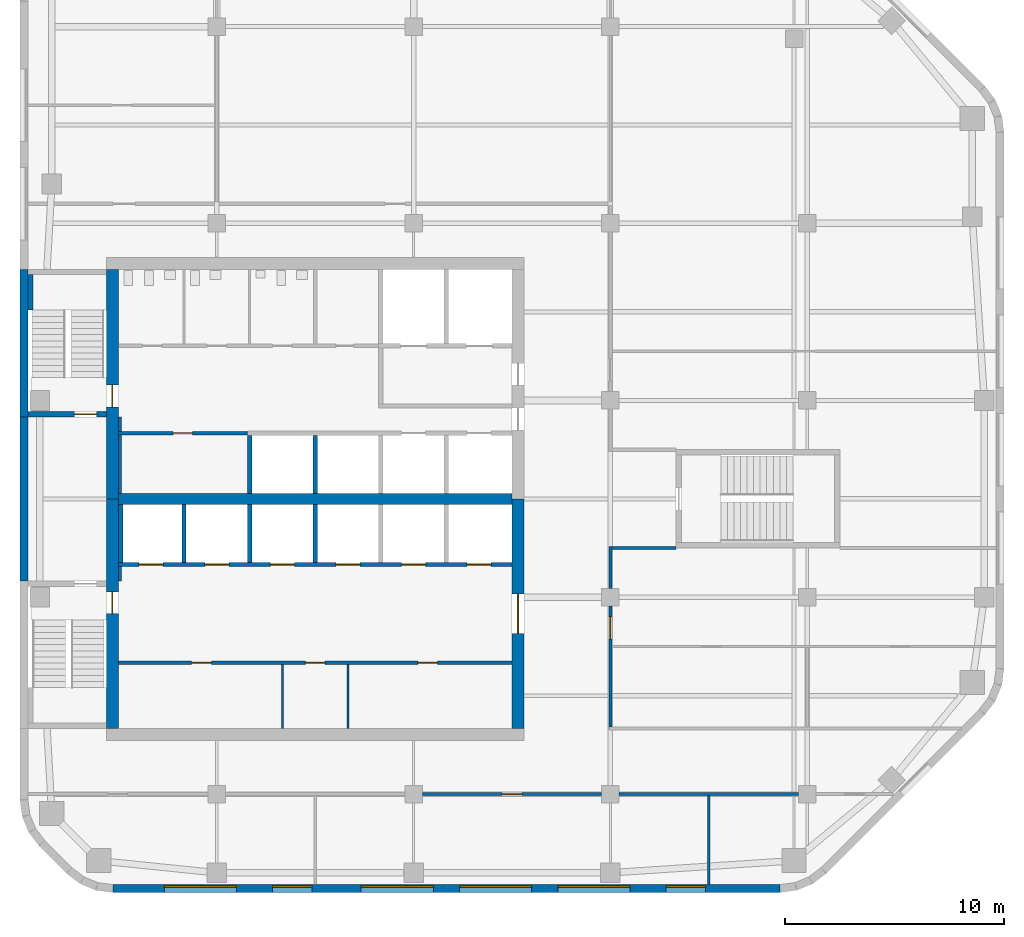
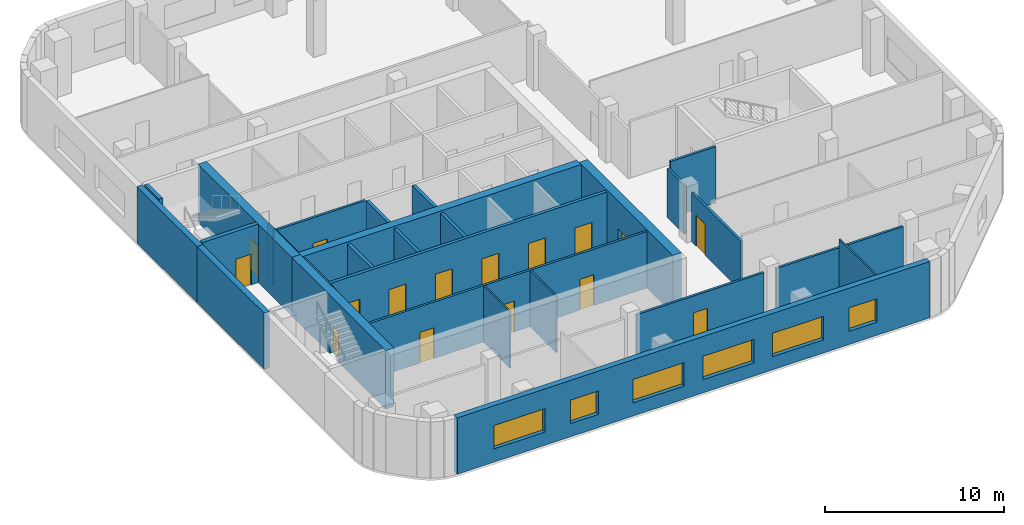
# One storey, part 3 of 7: 29 walls, 16 doors, 6 windows, 22 openings.
"""IFC4 building model written with IfcOpenShell, lengths in metres."""

from ifc_helpers import new_model, si_unit, direction, frame, frame_2d, origin, place, context, subcontext, project, spatial, rectangle, extrude, material, layer, layer_set, type_object, element, fill, save


model = new_model("IFC4")

# Units and contexts
model_context = context("Model", 3, precision=1e-05, world=origin(), true_north=direction((0.0, 1.0)))
body_context = subcontext(model_context, "Body", "Model", "MODEL_VIEW")
ifc_project = project(units=[si_unit("LENGTHUNIT", "METRE"), si_unit("AREAUNIT", "SQUARE_METRE"), si_unit("VOLUMEUNIT", "CUBIC_METRE"), si_unit("PLANEANGLEUNIT", "RADIAN"), si_unit("MASSUNIT", "GRAM", prefix="KILO")], contexts=[model_context])

# Site, building, storey
site_placement = place(None, origin())
site = spatial("IfcSite", under=ifc_project, at=site_placement, CompositionType="ELEMENT")
building_placement = place(site_placement, origin())
building = spatial("IfcBuilding", under=site, at=building_placement, Name="Cinnabar Reach Civic Tower", CompositionType="ELEMENT")
storey_placement = place(building_placement, frame((0.0, 0.0, 234.0)))
storey = spatial("IfcBuildingStorey", under=building, at=storey_placement, Name="L56", CompositionType="ELEMENT", Elevation=234.0)

# Wall, openings, windows
ifc_material_1 = material(Name="Facing brick with insulated backing", Category="masonry")
ifc_layer_1 = layer(ifc_material_1, 0.36)
ifc_layer_set_1 = layer_set([ifc_layer_1], Name="Brick pier and spandrel wall")
wall_type_1 = type_object("IfcWallType", Name="Brick pier and spandrel wall", PredefinedType="STANDARD", material=ifc_layer_set_1)
wall_1_placement = place(storey_placement, frame((4.2426, 13.68, 0.0), z_axis=(0.0, 0.0, 1.0), x_axis=(1.0, 0.0, 0.0)))
wall_1 = element("IfcWall", 1, at=wall_1_placement, inside=storey, type_object=wall_type_1, Name="Brick facade wall", PredefinedType="STANDARD", context=body_context, shape_type="SweptSolid", body=[
    extrude(rectangle(XDim=30.5148, YDim=0.36, at=frame_2d((15.2574, 0.0))), origin(), (0.0, 0.0, 1.0), 3.85),
])
opening_1_placement = place(wall_1_placement, frame((2.3574, 0.0, 0.9)))
opening_1 = element("IfcOpeningElement", 2, at=opening_1_placement, cuts=wall_1, Name="Opening W2140", PredefinedType="OPENING", context=body_context, shape_type="SweptSolid", body=[
    extrude(rectangle(XDim=3.3, YDim=1.6, at=frame_2d((1.65, 0.8))), frame((0.0, 0.19, 0.0), z_axis=(0.0, -1.0, 0.0), x_axis=(1.0, 0.0, 0.0)), (0.0, 0.0, 1.0), 0.38),
])
opening_2_placement = place(wall_1_placement, frame((7.3074, 0.0, 0.9)))
opening_2 = element("IfcOpeningElement", 3, at=opening_2_placement, cuts=wall_1, Name="Opening W2141", PredefinedType="OPENING", context=body_context, shape_type="SweptSolid", body=[
    extrude(rectangle(XDim=1.8, YDim=1.6, at=frame_2d((0.9, 0.8))), frame((0.0, 0.19, 0.0), z_axis=(0.0, -1.0, 0.0), x_axis=(1.0, 0.0, 0.0)), (0.0, 0.0, 1.0), 0.38),
])
opening_3_placement = place(wall_1_placement, frame((11.3574, 0.0, 0.9)))
opening_3 = element("IfcOpeningElement", 4, at=opening_3_placement, cuts=wall_1, Name="Opening W2142", PredefinedType="OPENING", context=body_context, shape_type="SweptSolid", body=[
    extrude(rectangle(XDim=3.3, YDim=1.6, at=frame_2d((1.65, 0.8))), frame((0.0, 0.19, 0.0), z_axis=(0.0, -1.0, 0.0), x_axis=(1.0, 0.0, 0.0)), (0.0, 0.0, 1.0), 0.38),
])
opening_4_placement = place(wall_1_placement, frame((15.8574, 0.0, 0.9)))
opening_4 = element("IfcOpeningElement", 5, at=opening_4_placement, cuts=wall_1, Name="Opening W2143", PredefinedType="OPENING", context=body_context, shape_type="SweptSolid", body=[
    extrude(rectangle(XDim=3.3, YDim=1.6, at=frame_2d((1.65, 0.8))), frame((0.0, 0.19, 0.0), z_axis=(0.0, -1.0, 0.0), x_axis=(1.0, 0.0, 0.0)), (0.0, 0.0, 1.0), 0.38),
])
opening_5_placement = place(wall_1_placement, frame((20.3574, 0.0, 0.9)))
opening_5 = element("IfcOpeningElement", 6, at=opening_5_placement, cuts=wall_1, Name="Opening W2144", PredefinedType="OPENING", context=body_context, shape_type="SweptSolid", body=[
    extrude(rectangle(XDim=3.3, YDim=1.6, at=frame_2d((1.65, 0.8))), frame((0.0, 0.19, 0.0), z_axis=(0.0, -1.0, 0.0), x_axis=(1.0, 0.0, 0.0)), (0.0, 0.0, 1.0), 0.38),
])
opening_6_placement = place(wall_1_placement, frame((25.3074, 0.0, 0.9)))
opening_6 = element("IfcOpeningElement", 7, at=opening_6_placement, cuts=wall_1, Name="Opening W2145", PredefinedType="OPENING", context=body_context, shape_type="SweptSolid", body=[
    extrude(rectangle(XDim=1.8, YDim=1.6, at=frame_2d((0.9, 0.8))), frame((0.0, 0.19, 0.0), z_axis=(0.0, -1.0, 0.0), x_axis=(1.0, 0.0, 0.0)), (0.0, 0.0, 1.0), 0.38),
])
ifc_material_2 = material(Name="Clear double glazing in aluminium frame", Category="aluminium")
window_type_1 = type_object("IfcWindowType", Name="Deep-set window A", PartitioningType="SINGLE_PANEL", PredefinedType="WINDOW", material=ifc_material_2)
window_1_placement = place(opening_1_placement, origin())
window_1 = element("IfcWindow", 8, at=window_1_placement, inside=storey, type_object=window_type_1, Name="Window south face", OverallHeight=1.6, OverallWidth=3.3, PartitioningType="SINGLE_PANEL", PredefinedType="WINDOW", context=body_context, shape_type="SweptSolid", body=[
    extrude(rectangle(XDim=3.3, YDim=1.6, at=frame_2d((1.65, 0.8))), frame((0.0, 0.13, 0.0), z_axis=(0.0, -1.0, 0.0), x_axis=(1.0, 0.0, 0.0)), (0.0, 0.0, 1.0), 0.06),
])
fill(opening_1, window_1)
window_2_placement = place(opening_3_placement, origin())
window_2 = element("IfcWindow", 9, at=window_2_placement, inside=storey, type_object=window_type_1, Name="Window south face", OverallHeight=1.6, OverallWidth=3.3, PartitioningType="SINGLE_PANEL", PredefinedType="WINDOW", context=body_context, shape_type="SweptSolid", body=[
    extrude(rectangle(XDim=3.3, YDim=1.6, at=frame_2d((1.65, 0.8))), frame((0.0, 0.13, 0.0), z_axis=(0.0, -1.0, 0.0), x_axis=(1.0, 0.0, 0.0)), (0.0, 0.0, 1.0), 0.06),
])
fill(opening_3, window_2)
window_3_placement = place(opening_4_placement, origin())
window_3 = element("IfcWindow", 10, at=window_3_placement, inside=storey, type_object=window_type_1, Name="Window south face", OverallHeight=1.6, OverallWidth=3.3, PartitioningType="SINGLE_PANEL", PredefinedType="WINDOW", context=body_context, shape_type="SweptSolid", body=[
    extrude(rectangle(XDim=3.3, YDim=1.6, at=frame_2d((1.65, 0.8))), frame((0.0, 0.13, 0.0), z_axis=(0.0, -1.0, 0.0), x_axis=(1.0, 0.0, 0.0)), (0.0, 0.0, 1.0), 0.06),
])
fill(opening_4, window_3)
window_4_placement = place(opening_5_placement, origin())
window_4 = element("IfcWindow", 11, at=window_4_placement, inside=storey, type_object=window_type_1, Name="Window south face", OverallHeight=1.6, OverallWidth=3.3, PartitioningType="SINGLE_PANEL", PredefinedType="WINDOW", context=body_context, shape_type="SweptSolid", body=[
    extrude(rectangle(XDim=3.3, YDim=1.6, at=frame_2d((1.65, 0.8))), frame((0.0, 0.13, 0.0), z_axis=(0.0, -1.0, 0.0), x_axis=(1.0, 0.0, 0.0)), (0.0, 0.0, 1.0), 0.06),
])
fill(opening_5, window_4)
window_type_2 = type_object("IfcWindowType", Name="Deep-set window D", PartitioningType="SINGLE_PANEL", PredefinedType="WINDOW", material=ifc_material_2)
window_5_placement = place(opening_2_placement, origin())
window_5 = element("IfcWindow", 12, at=window_5_placement, inside=storey, type_object=window_type_2, Name="Window south face", OverallHeight=1.6, OverallWidth=1.8, PartitioningType="SINGLE_PANEL", PredefinedType="WINDOW", context=body_context, shape_type="SweptSolid", body=[
    extrude(rectangle(XDim=1.8, YDim=1.6, at=frame_2d((0.9, 0.8))), frame((0.0, 0.13, 0.0), z_axis=(0.0, -1.0, 0.0), x_axis=(1.0, 0.0, 0.0)), (0.0, 0.0, 1.0), 0.06),
])
fill(opening_2, window_5)
window_6_placement = place(opening_6_placement, origin())
window_6 = element("IfcWindow", 13, at=window_6_placement, inside=storey, type_object=window_type_2, Name="Window south face", OverallHeight=1.6, OverallWidth=1.8, PartitioningType="SINGLE_PANEL", PredefinedType="WINDOW", context=body_context, shape_type="SweptSolid", body=[
    extrude(rectangle(XDim=1.8, YDim=1.6, at=frame_2d((0.9, 0.8))), frame((0.0, 0.13, 0.0), z_axis=(0.0, -1.0, 0.0), x_axis=(1.0, 0.0, 0.0)), (0.0, 0.0, 1.0), 0.06),
])
fill(opening_6, window_6)

# Walls
wall_2_placement = place(storey_placement, frame((0.18, 42.0, 0.0), z_axis=(0.0, 0.0, 1.0), x_axis=(0.0, -1.0, 0.0)))
element("IfcWall", 14, at=wall_2_placement, inside=storey, type_object=wall_type_1, Name="Brick facade wall", PredefinedType="STANDARD", context=body_context, shape_type="SweptSolid", body=[
    extrude(rectangle(XDim=6.75, YDim=0.36, at=frame_2d((3.375, 0.0))), origin(), (0.0, 0.0, 1.0), 3.85),
])
wall_3_placement = place(storey_placement, frame((0.18, 35.25, 0.0), z_axis=(0.0, 0.0, 1.0), x_axis=(0.0, -1.0, 0.0)))
element("IfcWall", 15, at=wall_3_placement, inside=storey, type_object=wall_type_1, Name="Brick facade wall", PredefinedType="STANDARD", context=body_context, shape_type="SweptSolid", body=[
    extrude(rectangle(XDim=7.5, YDim=0.36, at=frame_2d((3.75, 0.0))), origin(), (0.0, 0.0, 1.0), 3.85),
])
ifc_material_3 = material(Name="Concrete C60", Category="concrete")
ifc_layer_2 = layer(ifc_material_3, 0.5)
ifc_layer_set_2 = layer_set([ifc_layer_2], Name="Core wall 500 EI 180")
wall_type_2 = type_object("IfcWallType", Name="Core wall 500 EI 180", PredefinedType="SOLIDWALL", material=ifc_layer_set_2)
wall_4_placement = place(storey_placement, frame((4.5, 31.5, 0.0), z_axis=(0.0, 0.0, 1.0), x_axis=(1.0, 0.0, 0.0)))
element("IfcWall", 16, at=wall_4_placement, inside=storey, type_object=wall_type_2, Name="Core spine wall T1 L56", PredefinedType="SOLIDWALL", context=body_context, shape_type="SweptSolid", body=[
    extrude(rectangle(XDim=18.0, YDim=0.5, at=frame_2d((9.0, 0.0))), origin(), (0.0, 0.0, 1.0), 4.0),
])

# Wall, opening, door
ifc_layer_3 = layer(ifc_material_3, 0.55)
ifc_layer_set_3 = layer_set([ifc_layer_3], Name="Core wall 550 EI 180")
wall_type_3 = type_object("IfcWallType", Name="Core wall 550 EI 180", PredefinedType="SOLIDWALL", material=ifc_layer_set_3)
wall_5_placement = place(storey_placement, frame((22.775, 21.0, 0.0), z_axis=(0.0, 0.0, 1.0), x_axis=(0.0, 1.0, 0.0)))
wall_5 = element("IfcWall", 17, at=wall_5_placement, inside=storey, type_object=wall_type_3, Name="Core wall T1 L56 E", PredefinedType="SOLIDWALL", context=body_context, shape_type="SweptSolid", body=[
    extrude(rectangle(XDim=10.5, YDim=0.55, at=frame_2d((5.25, 0.0))), origin(), (0.0, 0.0, 1.0), 4.0),
])
opening_7_placement = place(wall_5_placement, frame((4.35, 0.0, 0.0)))
opening_7 = element("IfcOpeningElement", 18, at=opening_7_placement, cuts=wall_5, Name="Opening D5276", PredefinedType="OPENING", context=body_context, shape_type="SweptSolid", body=[
    extrude(rectangle(XDim=1.8, YDim=2.1, at=frame_2d((0.9, 1.05))), frame((0.0, 0.285, 0.0), z_axis=(0.0, -1.0, 0.0), x_axis=(1.0, 0.0, 0.0)), (0.0, 0.0, 1.0), 0.57),
])
ifc_material_4 = material(Name="Timber door leaf in steel frame", Category="steel")
door_type_1 = type_object("IfcDoorType", Name="Double swing door 1800 x 2100 T1", OperationType="DOUBLE_DOOR_DOUBLE_SWING", PredefinedType="DOOR", material=ifc_material_4)
door_1_placement = place(opening_7_placement, origin())
door_1 = element("IfcDoor", 19, at=door_1_placement, inside=storey, type_object=door_type_1, Name="Door D5276", OperationType="DOUBLE_DOOR_DOUBLE_SWING", OverallHeight=2.1, OverallWidth=1.8, PredefinedType="DOOR", context=body_context, shape_type="SweptSolid", body=[
    extrude(rectangle(XDim=1.8, YDim=2.1, at=frame_2d((0.9, 1.05))), frame((0.0, 0.025, 0.0), z_axis=(0.0, -1.0, 0.0), x_axis=(1.0, 0.0, 0.0)), (0.0, 0.0, 1.0), 0.05),
])
fill(opening_7, door_1)

wall_6_placement = place(storey_placement, frame((4.225, 42.0, 0.0), z_axis=(0.0, 0.0, 1.0), x_axis=(0.0, -1.0, 0.0)))
wall_6 = element("IfcWall", 20, at=wall_6_placement, inside=storey, type_object=wall_type_3, Name="Core wall T1 L56 W", PredefinedType="SOLIDWALL", context=body_context, shape_type="SweptSolid", body=[
    extrude(rectangle(XDim=10.5, YDim=0.55, at=frame_2d((5.25, 0.0))), origin(), (0.0, 0.0, 1.0), 4.0),
])
opening_8_placement = place(wall_6_placement, frame((5.3, 0.0, 0.0)))
opening_8 = element("IfcOpeningElement", 21, at=opening_8_placement, cuts=wall_6, Name="Opening D5264", PredefinedType="OPENING", context=body_context, shape_type="SweptSolid", body=[
    extrude(rectangle(XDim=1.0, YDim=2.1, at=frame_2d((0.5, 1.05))), frame((0.0, 0.285, 0.0), z_axis=(0.0, -1.0, 0.0), x_axis=(1.0, 0.0, 0.0)), (0.0, 0.0, 1.0), 0.57),
])
door_type_2 = type_object("IfcDoorType", Name="Stair door 1000 x 2100 T1", OperationType="SINGLE_SWING_LEFT", PredefinedType="DOOR", material=ifc_material_4)
door_2_placement = place(opening_8_placement, frame((1.0, 0.0, 0.0), z_axis=(0.0, 0.0, 1.0), x_axis=(-1.0, 0.0, 0.0)))
door_2 = element("IfcDoor", 22, at=door_2_placement, inside=storey, type_object=door_type_2, Name="Door D5264", OperationType="SINGLE_SWING_LEFT", OverallHeight=2.1, OverallWidth=1.0, PredefinedType="DOOR", context=body_context, shape_type="SweptSolid", body=[
    extrude(rectangle(XDim=1.0, YDim=2.1, at=frame_2d((0.5, 1.05))), frame((0.0, 0.025, 0.0), z_axis=(0.0, -1.0, 0.0), x_axis=(1.0, 0.0, 0.0)), (0.0, 0.0, 1.0), 0.05),
])
fill(opening_8, door_2)

wall_7_placement = place(storey_placement, frame((4.225, 31.5, 0.0), z_axis=(0.0, 0.0, 1.0), x_axis=(0.0, -1.0, 0.0)))
wall_7 = element("IfcWall", 23, at=wall_7_placement, inside=storey, type_object=wall_type_3, Name="Core wall T1 L56 W2", PredefinedType="SOLIDWALL", context=body_context, shape_type="SweptSolid", body=[
    extrude(rectangle(XDim=10.5, YDim=0.55, at=frame_2d((5.25, 0.0))), origin(), (0.0, 0.0, 1.0), 4.0),
])
opening_9_placement = place(wall_7_placement, frame((4.25, 0.0, 0.0)))
opening_9 = element("IfcOpeningElement", 24, at=opening_9_placement, cuts=wall_7, Name="Opening D5262", PredefinedType="OPENING", context=body_context, shape_type="SweptSolid", body=[
    extrude(rectangle(XDim=1.0, YDim=2.1, at=frame_2d((0.5, 1.05))), frame((0.0, 0.285, 0.0), z_axis=(0.0, -1.0, 0.0), x_axis=(1.0, 0.0, 0.0)), (0.0, 0.0, 1.0), 0.57),
])
door_3_placement = place(opening_9_placement, frame((1.0, 0.0, 0.0), z_axis=(0.0, 0.0, 1.0), x_axis=(-1.0, 0.0, 0.0)))
door_3 = element("IfcDoor", 25, at=door_3_placement, inside=storey, type_object=door_type_2, Name="Door D5262", OperationType="SINGLE_SWING_RIGHT", OverallHeight=2.1, OverallWidth=1.0, PredefinedType="DOOR", context=body_context, shape_type="SweptSolid", body=[
    extrude(rectangle(XDim=1.0, YDim=2.1, at=frame_2d((0.5, 1.05))), frame((0.0, 0.025, 0.0), z_axis=(0.0, -1.0, 0.0), x_axis=(1.0, 0.0, 0.0)), (0.0, 0.0, 1.0), 0.05),
])
fill(opening_9, door_3)

# Wall
ifc_material_5 = material(Name="Gypsum board on steel studs, double layer", Category="steel")
ifc_layer_4 = layer(ifc_material_5, 0.15)
ifc_layer_set_4 = layer_set([ifc_layer_4], Name="Corridor wall 150 T1")
wall_type_4 = type_object("IfcWallType", Name="Corridor wall 150 T1", PredefinedType="PARTITIONING", material=ifc_layer_set_4)
wall_8_placement = place(storey_placement, frame((27.4, 18.0, 0.0), z_axis=(0.0, 0.0, 1.0), x_axis=(1.0, 0.0, 0.0)))
element("IfcWall", 26, at=wall_8_placement, inside=storey, type_object=wall_type_4, Name="Corridor wall 19", PredefinedType="PARTITIONING", context=body_context, shape_type="SweptSolid", body=[
    extrude(rectangle(XDim=8.2, YDim=0.15, at=frame_2d((4.1, 0.0))), origin(), (0.0, 0.0, 1.0), 3.254),
])

# Wall, opening, door
wall_9_placement = place(storey_placement, frame((18.4, 18.0, 0.0), z_axis=(0.0, 0.0, 1.0), x_axis=(1.0, 0.0, 0.0)))
wall_9 = element("IfcWall", 27, at=wall_9_placement, inside=storey, type_object=wall_type_4, Name="Corridor wall 20", PredefinedType="PARTITIONING", context=body_context, shape_type="SweptSolid", body=[
    extrude(rectangle(XDim=8.2, YDim=0.15, at=frame_2d((4.1, 0.0))), origin(), (0.0, 0.0, 1.0), 3.254),
])
opening_10_placement = place(wall_9_placement, frame((3.65, 0.0, 0.0)))
opening_10 = element("IfcOpeningElement", 28, at=opening_10_placement, cuts=wall_9, Name="Opening D5294", PredefinedType="OPENING", context=body_context, shape_type="SweptSolid", body=[
    extrude(rectangle(XDim=0.9, YDim=2.1, at=frame_2d((0.45, 1.05))), frame((0.0, 0.085, 0.0), z_axis=(0.0, -1.0, 0.0), x_axis=(1.0, 0.0, 0.0)), (0.0, 0.0, 1.0), 0.17),
])
door_type_3 = type_object("IfcDoorType", Name="Single swing door 900 x 2100 corridor T1", OperationType="SINGLE_SWING_LEFT", PredefinedType="DOOR", material=ifc_material_4)
door_4_placement = place(opening_10_placement, frame((0.9, 0.0, 0.0), z_axis=(0.0, 0.0, 1.0), x_axis=(-1.0, 0.0, 0.0)))
door_4 = element("IfcDoor", 29, at=door_4_placement, inside=storey, type_object=door_type_3, Name="Door D5294", OperationType="SINGLE_SWING_RIGHT", OverallHeight=2.1, OverallWidth=0.9, PredefinedType="DOOR", context=body_context, shape_type="SweptSolid", body=[
    extrude(rectangle(XDim=0.9, YDim=2.1, at=frame_2d((0.45, 1.05))), frame((0.0, 0.025, 0.0), z_axis=(0.0, -1.0, 0.0), x_axis=(1.0, 0.0, 0.0)), (0.0, 0.0, 1.0), 0.05),
])
fill(opening_10, door_4)

# Wall, openings, doors
wall_10_placement = place(storey_placement, frame((4.5, 24.0, 0.0), z_axis=(0.0, 0.0, 1.0), x_axis=(1.0, 0.0, 0.0)))
wall_10 = element("IfcWall", 30, at=wall_10_placement, inside=storey, type_object=wall_type_4, Name="Corridor wall 24", PredefinedType="PARTITIONING", context=body_context, shape_type="SweptSolid", body=[
    extrude(rectangle(XDim=18.0, YDim=0.15, at=frame_2d((9.0, 0.0))), origin(), (0.0, 0.0, 1.0), 3.85),
])
opening_11_placement = place(wall_10_placement, frame((3.35, 0.0, 0.0)))
opening_11 = element("IfcOpeningElement", 31, at=opening_11_placement, cuts=wall_10, Name="Opening D5280", PredefinedType="OPENING", context=body_context, shape_type="SweptSolid", body=[
    extrude(rectangle(XDim=0.9, YDim=2.1, at=frame_2d((0.45, 1.05))), frame((0.0, 0.085, 0.0), z_axis=(0.0, -1.0, 0.0), x_axis=(1.0, 0.0, 0.0)), (0.0, 0.0, 1.0), 0.17),
])
opening_12_placement = place(wall_10_placement, frame((8.55, 0.0, 0.0)))
opening_12 = element("IfcOpeningElement", 32, at=opening_12_placement, cuts=wall_10, Name="Opening D5281", PredefinedType="OPENING", context=body_context, shape_type="SweptSolid", body=[
    extrude(rectangle(XDim=0.9, YDim=2.1, at=frame_2d((0.45, 1.05))), frame((0.0, 0.085, 0.0), z_axis=(0.0, -1.0, 0.0), x_axis=(1.0, 0.0, 0.0)), (0.0, 0.0, 1.0), 0.17),
])
opening_13_placement = place(wall_10_placement, frame((13.7, 0.0, 0.0)))
opening_13 = element("IfcOpeningElement", 33, at=opening_13_placement, cuts=wall_10, Name="Opening D5282", PredefinedType="OPENING", context=body_context, shape_type="SweptSolid", body=[
    extrude(rectangle(XDim=0.9, YDim=2.1, at=frame_2d((0.45, 1.05))), frame((0.0, 0.085, 0.0), z_axis=(0.0, -1.0, 0.0), x_axis=(1.0, 0.0, 0.0)), (0.0, 0.0, 1.0), 0.17),
])
door_5_placement = place(opening_11_placement, frame((0.9, 0.0, 0.0), z_axis=(0.0, 0.0, 1.0), x_axis=(-1.0, 0.0, 0.0)))
door_5 = element("IfcDoor", 34, at=door_5_placement, inside=storey, type_object=door_type_3, Name="Door D5280", OperationType="SINGLE_SWING_RIGHT", OverallHeight=2.1, OverallWidth=0.9, PredefinedType="DOOR", context=body_context, shape_type="SweptSolid", body=[
    extrude(rectangle(XDim=0.9, YDim=2.1, at=frame_2d((0.45, 1.05))), frame((0.0, 0.025, 0.0), z_axis=(0.0, -1.0, 0.0), x_axis=(1.0, 0.0, 0.0)), (0.0, 0.0, 1.0), 0.05),
])
fill(opening_11, door_5)
door_6_placement = place(opening_12_placement, frame((0.9, 0.0, 0.0), z_axis=(0.0, 0.0, 1.0), x_axis=(-1.0, 0.0, 0.0)))
door_6 = element("IfcDoor", 35, at=door_6_placement, inside=storey, type_object=door_type_3, Name="Door D5281", OperationType="SINGLE_SWING_RIGHT", OverallHeight=2.1, OverallWidth=0.9, PredefinedType="DOOR", context=body_context, shape_type="SweptSolid", body=[
    extrude(rectangle(XDim=0.9, YDim=2.1, at=frame_2d((0.45, 1.05))), frame((0.0, 0.025, 0.0), z_axis=(0.0, -1.0, 0.0), x_axis=(1.0, 0.0, 0.0)), (0.0, 0.0, 1.0), 0.05),
])
fill(opening_12, door_6)
door_7_placement = place(opening_13_placement, frame((0.9, 0.0, 0.0), z_axis=(0.0, 0.0, 1.0), x_axis=(-1.0, 0.0, 0.0)))
door_7 = element("IfcDoor", 36, at=door_7_placement, inside=storey, type_object=door_type_3, Name="Door D5282", OperationType="SINGLE_SWING_RIGHT", OverallHeight=2.1, OverallWidth=0.9, PredefinedType="DOOR", context=body_context, shape_type="SweptSolid", body=[
    extrude(rectangle(XDim=0.9, YDim=2.1, at=frame_2d((0.45, 1.05))), frame((0.0, 0.025, 0.0), z_axis=(0.0, -1.0, 0.0), x_axis=(1.0, 0.0, 0.0)), (0.0, 0.0, 1.0), 0.05),
])
fill(opening_13, door_7)

# Wall, opening, door
wall_11_placement = place(storey_placement, frame((27.0, 21.075, 0.0), z_axis=(0.0, 0.0, 1.0), x_axis=(0.0, 1.0, 0.0)))
wall_11 = element("IfcWall", 37, at=wall_11_placement, inside=storey, type_object=wall_type_4, Name="Corridor wall 30", PredefinedType="PARTITIONING", context=body_context, shape_type="SweptSolid", body=[
    extrude(rectangle(XDim=5.525, YDim=0.15, at=frame_2d((2.7625, 0.0))), origin(), (0.0, 0.0, 1.0), 3.35),
])
opening_14_placement = place(wall_11_placement, frame((4.025, 0.0, 0.0)))
opening_14 = element("IfcOpeningElement", 38, at=opening_14_placement, cuts=wall_11, Name="Opening D5290", PredefinedType="OPENING", context=body_context, shape_type="SweptSolid", body=[
    extrude(rectangle(XDim=1.0, YDim=2.1, at=frame_2d((0.5, 1.05))), frame((0.0, 0.085, 0.0), z_axis=(0.0, -1.0, 0.0), x_axis=(1.0, 0.0, 0.0)), (0.0, 0.0, 1.0), 0.17),
])
door_type_4 = type_object("IfcDoorType", Name="Tenancy entrance door 1000 x 2100 T1", OperationType="SINGLE_SWING_LEFT", PredefinedType="DOOR", material=ifc_material_4)
door_8_placement = place(opening_14_placement, frame((1.0, 0.0, 0.0), z_axis=(0.0, 0.0, 1.0), x_axis=(-1.0, 0.0, 0.0)))
door_8 = element("IfcDoor", 39, at=door_8_placement, inside=storey, type_object=door_type_4, Name="Door D5290", OperationType="SINGLE_SWING_RIGHT", OverallHeight=2.1, OverallWidth=1.0, PredefinedType="DOOR", context=body_context, shape_type="SweptSolid", body=[
    extrude(rectangle(XDim=1.0, YDim=2.1, at=frame_2d((0.5, 1.05))), frame((0.0, 0.025, 0.0), z_axis=(0.0, -1.0, 0.0), x_axis=(1.0, 0.0, 0.0)), (0.0, 0.0, 1.0), 0.05),
])
fill(opening_14, door_8)

# Wall
wall_12_placement = place(storey_placement, frame((27.0, 27.4, 0.0), z_axis=(0.0, 0.0, 1.0), x_axis=(0.0, 1.0, 0.0)))
element("IfcWall", 40, at=wall_12_placement, inside=storey, type_object=wall_type_4, Name="Corridor wall 31", PredefinedType="PARTITIONING", context=body_context, shape_type="SweptSolid", body=[
    extrude(rectangle(XDim=1.925, YDim=0.15, at=frame_2d((0.9625, 0.0))), origin(), (0.0, 0.0, 1.0), 3.35),
])

# Wall, opening, door
wall_13_placement = place(storey_placement, frame((4.5, 34.5, 0.0), z_axis=(0.0, 0.0, 1.0), x_axis=(1.0, 0.0, 0.0)))
wall_13 = element("IfcWall", 41, at=wall_13_placement, inside=storey, type_object=wall_type_4, Name="Corridor wall 32", PredefinedType="PARTITIONING", context=body_context, shape_type="SweptSolid", body=[
    extrude(rectangle(XDim=5.9, YDim=0.15, at=frame_2d((2.95, 0.0))), origin(), (0.0, 0.0, 1.0), 3.85),
])
opening_15_placement = place(wall_13_placement, frame((2.5, 0.0, 0.0)))
opening_15 = element("IfcOpeningElement", 42, at=opening_15_placement, cuts=wall_13, Name="Opening D5283", PredefinedType="OPENING", context=body_context, shape_type="SweptSolid", body=[
    extrude(rectangle(XDim=0.9, YDim=2.1, at=frame_2d((0.45, 1.05))), frame((0.0, 0.085, 0.0), z_axis=(0.0, -1.0, 0.0), x_axis=(1.0, 0.0, 0.0)), (0.0, 0.0, 1.0), 0.17),
])
door_9_placement = place(opening_15_placement, frame((0.9, 0.0, 0.0), z_axis=(0.0, 0.0, 1.0), x_axis=(-1.0, 0.0, 0.0)))
door_9 = element("IfcDoor", 43, at=door_9_placement, inside=storey, type_object=door_type_3, Name="Door D5283", OperationType="SINGLE_SWING_RIGHT", OverallHeight=2.1, OverallWidth=0.9, PredefinedType="DOOR", context=body_context, shape_type="SweptSolid", body=[
    extrude(rectangle(XDim=0.9, YDim=2.1, at=frame_2d((0.45, 1.05))), frame((0.0, 0.025, 0.0), z_axis=(0.0, -1.0, 0.0), x_axis=(1.0, 0.0, 0.0)), (0.0, 0.0, 1.0), 0.05),
])
fill(opening_15, door_9)

# Walls
wall_14_placement = place(storey_placement, frame((4.575, 34.575, 0.0), z_axis=(0.0, 0.0, 1.0), x_axis=(0.0, 1.0, 0.0)))
element("IfcWall", 44, at=wall_14_placement, inside=storey, type_object=wall_type_4, Name="Corridor wall 33", PredefinedType="PARTITIONING", context=body_context, shape_type="SweptSolid", body=[
    extrude(rectangle(XDim=0.675, YDim=0.15, at=frame_2d((0.3375, 0.0))), origin(), (0.0, 0.0, 1.0), 3.85),
])
wall_15_placement = place(storey_placement, frame((4.575, 31.75, 0.0), z_axis=(0.0, 0.0, 1.0), x_axis=(0.0, 1.0, 0.0)))
element("IfcWall", 45, at=wall_15_placement, inside=storey, type_object=wall_type_4, Name="Corridor wall 34", PredefinedType="PARTITIONING", context=body_context, shape_type="SweptSolid", body=[
    extrude(rectangle(XDim=2.675, YDim=0.15, at=frame_2d((1.3375, 0.0))), origin(), (0.0, 0.0, 1.0), 3.85),
])
wall_16_placement = place(storey_placement, frame((27.075, 29.25, 0.0), z_axis=(0.0, 0.0, 1.0), x_axis=(1.0, 0.0, 0.0)))
element("IfcWall", 46, at=wall_16_placement, inside=storey, type_object=wall_type_4, Name="Corridor wall 35", PredefinedType="PARTITIONING", context=body_context, shape_type="SweptSolid", body=[
    extrude(rectangle(XDim=2.925, YDim=0.15, at=frame_2d((1.4625, 0.0))), origin(), (0.0, 0.0, 1.0), 3.85),
])
wall_17_placement = place(storey_placement, frame((4.575, 27.75, 0.0), z_axis=(0.0, 0.0, 1.0), x_axis=(0.0, 1.0, 0.0)))
element("IfcWall", 47, at=wall_17_placement, inside=storey, type_object=wall_type_4, Name="Corridor wall 37", PredefinedType="PARTITIONING", context=body_context, shape_type="SweptSolid", body=[
    extrude(rectangle(XDim=0.65, YDim=0.15, at=frame_2d((0.325, 0.0))), origin(), (0.0, 0.0, 1.0), 3.85),
])

# Wall, openings, doors
ifc_material_6 = material(Name="Blockwork", Category="masonry")
ifc_layer_5 = layer(ifc_material_6, 0.2)
ifc_layer_set_5 = layer_set([ifc_layer_5], Name="Lift shaft wall 200 T1")
wall_type_5 = type_object("IfcWallType", Name="Lift shaft wall 200 T1", PredefinedType="PARTITIONING", material=ifc_layer_set_5)
wall_18_placement = place(storey_placement, frame((4.5, 28.5, 0.0), z_axis=(0.0, 0.0, 1.0), x_axis=(1.0, 0.0, 0.0)))
wall_18 = element("IfcWall", 48, at=wall_18_placement, inside=storey, type_object=wall_type_5, Name="Lift shaft wall 4", PredefinedType="PARTITIONING", context=body_context, shape_type="SweptSolid", body=[
    extrude(rectangle(XDim=18.0, YDim=0.2, at=frame_2d((9.0, 0.0))), origin(), (0.0, 0.0, 1.0), 3.85),
])
opening_16_placement = place(wall_18_placement, frame((0.95, 0.0, 0.0)))
opening_16 = element("IfcOpeningElement", 49, at=opening_16_placement, cuts=wall_18, Name="Opening D5266", PredefinedType="OPENING", context=body_context, shape_type="SweptSolid", body=[
    extrude(rectangle(XDim=1.1, YDim=2.1, at=frame_2d((0.55, 1.05))), frame((0.0, 0.11, 0.0), z_axis=(0.0, -1.0, 0.0), x_axis=(1.0, 0.0, 0.0)), (0.0, 0.0, 1.0), 0.22),
])
opening_17_placement = place(wall_18_placement, frame((3.95, 0.0, 0.0)))
opening_17 = element("IfcOpeningElement", 50, at=opening_17_placement, cuts=wall_18, Name="Opening D5267", PredefinedType="OPENING", context=body_context, shape_type="SweptSolid", body=[
    extrude(rectangle(XDim=1.1, YDim=2.1, at=frame_2d((0.55, 1.05))), frame((0.0, 0.11, 0.0), z_axis=(0.0, -1.0, 0.0), x_axis=(1.0, 0.0, 0.0)), (0.0, 0.0, 1.0), 0.22),
])
opening_18_placement = place(wall_18_placement, frame((6.95, 0.0, 0.0)))
opening_18 = element("IfcOpeningElement", 51, at=opening_18_placement, cuts=wall_18, Name="Opening D5268", PredefinedType="OPENING", context=body_context, shape_type="SweptSolid", body=[
    extrude(rectangle(XDim=1.1, YDim=2.1, at=frame_2d((0.55, 1.05))), frame((0.0, 0.11, 0.0), z_axis=(0.0, -1.0, 0.0), x_axis=(1.0, 0.0, 0.0)), (0.0, 0.0, 1.0), 0.22),
])
opening_19_placement = place(wall_18_placement, frame((9.95, 0.0, 0.0)))
opening_19 = element("IfcOpeningElement", 52, at=opening_19_placement, cuts=wall_18, Name="Opening D5269", PredefinedType="OPENING", context=body_context, shape_type="SweptSolid", body=[
    extrude(rectangle(XDim=1.1, YDim=2.1, at=frame_2d((0.55, 1.05))), frame((0.0, 0.11, 0.0), z_axis=(0.0, -1.0, 0.0), x_axis=(1.0, 0.0, 0.0)), (0.0, 0.0, 1.0), 0.22),
])
opening_20_placement = place(wall_18_placement, frame((12.95, 0.0, 0.0)))
opening_20 = element("IfcOpeningElement", 53, at=opening_20_placement, cuts=wall_18, Name="Opening D5270", PredefinedType="OPENING", context=body_context, shape_type="SweptSolid", body=[
    extrude(rectangle(XDim=1.1, YDim=2.1, at=frame_2d((0.55, 1.05))), frame((0.0, 0.11, 0.0), z_axis=(0.0, -1.0, 0.0), x_axis=(1.0, 0.0, 0.0)), (0.0, 0.0, 1.0), 0.22),
])
opening_21_placement = place(wall_18_placement, frame((15.95, 0.0, 0.0)))
opening_21 = element("IfcOpeningElement", 54, at=opening_21_placement, cuts=wall_18, Name="Opening D5271", PredefinedType="OPENING", context=body_context, shape_type="SweptSolid", body=[
    extrude(rectangle(XDim=1.1, YDim=2.1, at=frame_2d((0.55, 1.05))), frame((0.0, 0.11, 0.0), z_axis=(0.0, -1.0, 0.0), x_axis=(1.0, 0.0, 0.0)), (0.0, 0.0, 1.0), 0.22),
])
ifc_material_7 = material(Name="Stainless steel sliding door", Category="steel")
door_type_5 = type_object("IfcDoorType", Name="Lift landing door 1100 x 2100 T1", OperationType="SLIDING_TO_LEFT", PredefinedType="DOOR", material=ifc_material_7)
door_10_placement = place(opening_16_placement, origin())
door_10 = element("IfcDoor", 55, at=door_10_placement, inside=storey, type_object=door_type_5, Name="Lift landing door HR1 L56", OperationType="SLIDING_TO_LEFT", OverallHeight=2.1, OverallWidth=1.1, PredefinedType="DOOR", context=body_context, shape_type="SweptSolid", body=[
    extrude(rectangle(XDim=1.1, YDim=2.1, at=frame_2d((0.55, 1.05))), frame((0.0, 0.025, 0.0), z_axis=(0.0, -1.0, 0.0), x_axis=(1.0, 0.0, 0.0)), (0.0, 0.0, 1.0), 0.05),
])
fill(opening_16, door_10)
door_11_placement = place(opening_17_placement, origin())
door_11 = element("IfcDoor", 56, at=door_11_placement, inside=storey, type_object=door_type_5, Name="Lift landing door HR2 L56", OperationType="SLIDING_TO_LEFT", OverallHeight=2.1, OverallWidth=1.1, PredefinedType="DOOR", context=body_context, shape_type="SweptSolid", body=[
    extrude(rectangle(XDim=1.1, YDim=2.1, at=frame_2d((0.55, 1.05))), frame((0.0, 0.025, 0.0), z_axis=(0.0, -1.0, 0.0), x_axis=(1.0, 0.0, 0.0)), (0.0, 0.0, 1.0), 0.05),
])
fill(opening_17, door_11)
door_12_placement = place(opening_18_placement, origin())
door_12 = element("IfcDoor", 57, at=door_12_placement, inside=storey, type_object=door_type_5, Name="Lift landing door HR3 L56", OperationType="SLIDING_TO_LEFT", OverallHeight=2.1, OverallWidth=1.1, PredefinedType="DOOR", context=body_context, shape_type="SweptSolid", body=[
    extrude(rectangle(XDim=1.1, YDim=2.1, at=frame_2d((0.55, 1.05))), frame((0.0, 0.025, 0.0), z_axis=(0.0, -1.0, 0.0), x_axis=(1.0, 0.0, 0.0)), (0.0, 0.0, 1.0), 0.05),
])
fill(opening_18, door_12)
door_13_placement = place(opening_19_placement, origin())
door_13 = element("IfcDoor", 58, at=door_13_placement, inside=storey, type_object=door_type_5, Name="Lift landing door HR4 L56", OperationType="SLIDING_TO_LEFT", OverallHeight=2.1, OverallWidth=1.1, PredefinedType="DOOR", context=body_context, shape_type="SweptSolid", body=[
    extrude(rectangle(XDim=1.1, YDim=2.1, at=frame_2d((0.55, 1.05))), frame((0.0, 0.025, 0.0), z_axis=(0.0, -1.0, 0.0), x_axis=(1.0, 0.0, 0.0)), (0.0, 0.0, 1.0), 0.05),
])
fill(opening_19, door_13)
door_14_placement = place(opening_20_placement, origin())
door_14 = element("IfcDoor", 59, at=door_14_placement, inside=storey, type_object=door_type_5, Name="Lift landing door HR5 L56", OperationType="SLIDING_TO_LEFT", OverallHeight=2.1, OverallWidth=1.1, PredefinedType="DOOR", context=body_context, shape_type="SweptSolid", body=[
    extrude(rectangle(XDim=1.1, YDim=2.1, at=frame_2d((0.55, 1.05))), frame((0.0, 0.025, 0.0), z_axis=(0.0, -1.0, 0.0), x_axis=(1.0, 0.0, 0.0)), (0.0, 0.0, 1.0), 0.05),
])
fill(opening_20, door_14)
door_15_placement = place(opening_21_placement, origin())
door_15 = element("IfcDoor", 60, at=door_15_placement, inside=storey, type_object=door_type_5, Name="Lift landing door HR6 L56", OperationType="SLIDING_TO_LEFT", OverallHeight=2.1, OverallWidth=1.1, PredefinedType="DOOR", context=body_context, shape_type="SweptSolid", body=[
    extrude(rectangle(XDim=1.1, YDim=2.1, at=frame_2d((0.55, 1.05))), frame((0.0, 0.025, 0.0), z_axis=(0.0, -1.0, 0.0), x_axis=(1.0, 0.0, 0.0)), (0.0, 0.0, 1.0), 0.05),
])
fill(opening_21, door_15)

# Walls
for number, where, z_axis, x_axis, name in (
    (61, (10.5, 28.6, 0.0), (0.0, 0.0, 1.0), (0.0, 1.0, 0.0), "Lift shaft wall 6"),
    (62, (10.5, 31.75, 0.0), (0.0, 0.0, 1.0), (0.0, 1.0, 0.0), "Lift shaft wall 7"),
    (63, (13.5, 28.6, 0.0), (0.0, 0.0, 1.0), (0.0, 1.0, 0.0), "Lift shaft wall 8"),
    (64, (13.5, 31.75, 0.0), (0.0, 0.0, 1.0), (0.0, 1.0, 0.0), "Lift shaft wall 9"),
    (65, (4.6, 28.6, 0.0), (0.0, 0.0, 1.0), (0.0, 1.0, 0.0), "Lift shaft wall 16"),
    (66, (7.5, 28.6, 0.0), (0.0, 0.0, 1.0), (0.0, 1.0, 0.0), "Lift shaft wall 17"),
):
    element("IfcWall", number, at=place(storey_placement, frame(where, z_axis=z_axis, x_axis=x_axis)), inside=storey, type_object=wall_type_5, Name=name, PredefinedType="PARTITIONING", context=body_context, shape_type="SweptSolid", body=[
        extrude(rectangle(XDim=2.65, YDim=0.2, at=frame_2d((1.325, 0.0))), origin(), (0.0, 0.0, 1.0), 3.85),
    ])
ifc_material_8 = material(Name="Gypsum board on steel studs", Category="steel")
ifc_layer_6 = layer(ifc_material_8, 0.1)
ifc_layer_set_6 = layer_set([ifc_layer_6], Name="Partition wall 100 T1")
wall_type_6 = type_object("IfcWallType", Name="Partition wall 100 T1", PredefinedType="PARTITIONING", material=ifc_layer_set_6)
wall_19_placement = place(storey_placement, frame((31.5, 13.86, 0.0), z_axis=(0.0, 0.0, 1.0), x_axis=(0.0, 1.0, 0.0)))
element("IfcWall", 67, at=wall_19_placement, inside=storey, type_object=wall_type_6, Name="Partition wall 48", PredefinedType="PARTITIONING", context=body_context, shape_type="SweptSolid", body=[
    extrude(rectangle(XDim=4.065, YDim=0.1, at=frame_2d((2.0325, 0.0))), origin(), (0.0, 0.0, 1.0), 3.85),
])
for number, where, z_axis, x_axis, name in (
    (68, (12.0, 21.0, 0.0), (0.0, 0.0, 1.0), (0.0, 1.0, 0.0), "Partition wall 52"),
    (69, (15.0, 21.0, 0.0), (0.0, 0.0, 1.0), (0.0, 1.0, 0.0), "Partition wall 53"),
):
    element("IfcWall", number, at=place(storey_placement, frame(where, z_axis=z_axis, x_axis=x_axis)), inside=storey, type_object=wall_type_6, Name=name, PredefinedType="PARTITIONING", context=body_context, shape_type="SweptSolid", body=[
        extrude(rectangle(XDim=2.925, YDim=0.1, at=frame_2d((1.4625, 0.0))), origin(), (0.0, 0.0, 1.0), 3.85),
    ])

# Wall, opening, door
ifc_layer_7 = layer(ifc_material_3, 0.25)
ifc_layer_set_7 = layer_set([ifc_layer_7], Name="Stair shaft wall 250 EI 120")
wall_type_7 = type_object("IfcWallType", Name="Stair shaft wall 250 EI 120", PredefinedType="SOLIDWALL", material=ifc_layer_set_7)
wall_20_placement = place(storey_placement, frame((0.36, 35.375, 0.0), z_axis=(0.0, 0.0, 1.0), x_axis=(1.0, 0.0, 0.0)))
wall_20 = element("IfcWall", 70, at=wall_20_placement, inside=storey, type_object=wall_type_7, Name="Stair shaft wall T1-S2 L56", PredefinedType="SOLIDWALL", context=body_context, shape_type="SweptSolid", body=[
    extrude(rectangle(XDim=3.59, YDim=0.25, at=frame_2d((1.795, 0.0))), origin(), (0.0, 0.0, 1.0), 4.0),
])
opening_22_placement = place(wall_20_placement, frame((2.14, 0.0, 0.0)))
opening_22 = element("IfcOpeningElement", 71, at=opening_22_placement, cuts=wall_20, Name="Opening D5265", PredefinedType="OPENING", context=body_context, shape_type="SweptSolid", body=[
    extrude(rectangle(XDim=1.0, YDim=2.1, at=frame_2d((0.5, 1.05))), frame((0.0, 0.135, 0.0), z_axis=(0.0, -1.0, 0.0), x_axis=(1.0, 0.0, 0.0)), (0.0, 0.0, 1.0), 0.27),
])
door_16_placement = place(opening_22_placement, origin())
door_16 = element("IfcDoor", 72, at=door_16_placement, inside=storey, type_object=door_type_2, Name="Door D5265", OperationType="SINGLE_SWING_RIGHT", OverallHeight=2.1, OverallWidth=1.0, PredefinedType="DOOR", context=body_context, shape_type="SweptSolid", body=[
    extrude(rectangle(XDim=1.0, YDim=2.1, at=frame_2d((0.5, 1.05))), frame((0.0, 0.025, 0.0), z_axis=(0.0, -1.0, 0.0), x_axis=(1.0, 0.0, 0.0)), (0.0, 0.0, 1.0), 0.05),
])
fill(opening_22, door_16)

# Wall
ifc_material_9 = material(Name="Concrete C40/50", Category="concrete")
ifc_layer_8 = layer(ifc_material_9, 0.24)
ifc_layer_set_8 = layer_set([ifc_layer_8], Name="T1 landing bearer wall 240")
wall_type_8 = type_object("IfcWallType", Name="T1 landing bearer wall 240", PredefinedType="STANDARD", material=ifc_layer_set_8)
wall_21_placement = place(storey_placement, frame((0.48, 40.13, 0.0), z_axis=(0.0, 0.0, 1.0), x_axis=(0.0, 1.0, 0.0)))
element("IfcWall", 73, at=wall_21_placement, inside=storey, type_object=wall_type_8, Name="T1-S2 landing bearer wall", PredefinedType="STANDARD", context=body_context, shape_type="SweptSolid", body=[
    extrude(rectangle(XDim=1.62, YDim=0.24, at=frame_2d((0.81, 0.0))), origin(), (0.0, 0.0, 1.0), 4.0),
])

save(model, "model.ifc")
